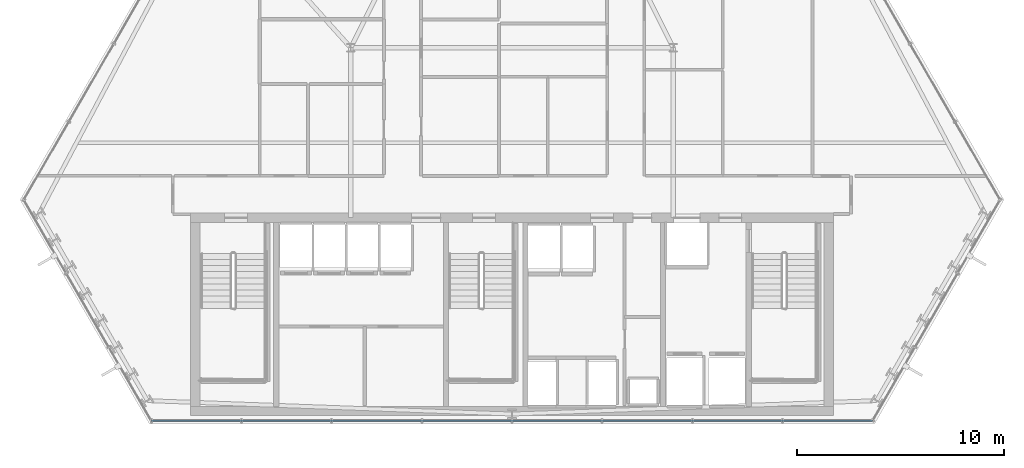
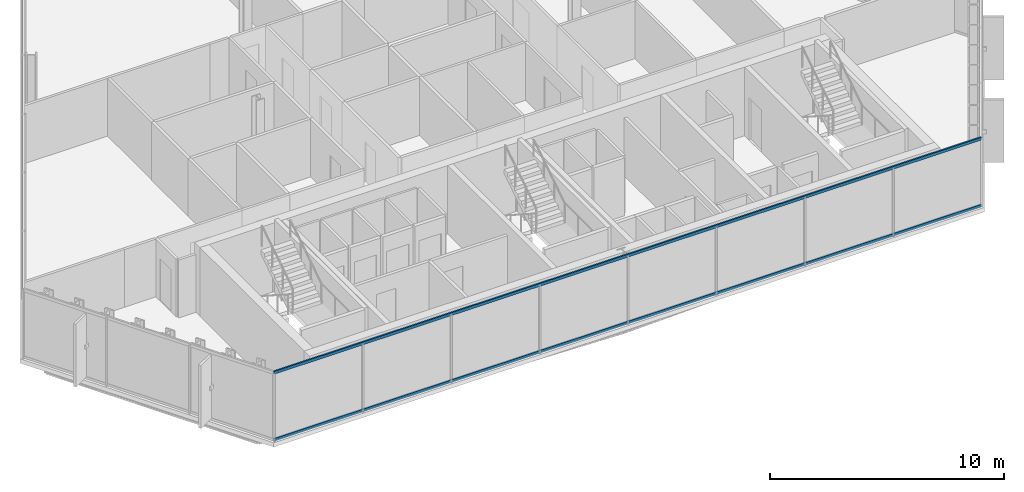
# One storey, part 8 of 32: 2 members, 1 element without a shape of its own.
"""IFC4 building model written with IfcOpenShell, lengths in metres."""

from ifc_helpers import new_model, si_unit, direction, frame, origin, origin_2d, place, context, subcontext, project, spatial, hollow_rectangle, extrude, material, layer, layer_set, material_profile, profile_set, type_object, element, aggregate, save


model = new_model("IFC4")

# Units and contexts
model_context = context("Model", 3, precision=1e-05, world=origin(), true_north=direction((0.0, 1.0)))
body_context = subcontext(model_context, "Body", "Model", "MODEL_VIEW")
ifc_project = project(units=[si_unit("LENGTHUNIT", "METRE"), si_unit("AREAUNIT", "SQUARE_METRE"), si_unit("VOLUMEUNIT", "CUBIC_METRE"), si_unit("PLANEANGLEUNIT", "RADIAN"), si_unit("MASSUNIT", "GRAM", prefix="KILO")], contexts=[model_context])

# Site, building, storey
site_placement = place(None, origin())
site = spatial("IfcSite", under=ifc_project, at=site_placement, CompositionType="ELEMENT")
building_placement = place(site_placement, origin())
building = spatial("IfcBuilding", under=site, at=building_placement, Name="Ndaravel Arena Tower", CompositionType="ELEMENT")
storey_placement = place(building_placement, frame((0.0, 0.0, 130.800048828125)))
storey = spatial("IfcBuildingStorey", under=building, at=storey_placement, Name="L30", CompositionType="ELEMENT", Elevation=130.800048828125)

# Curtain wall, members
ifc_material_1 = material(Name="Aluminium", Category="aluminium")
ifc_layer = layer(ifc_material_1, 0.179931640625)
ifc_layer_set = layer_set([ifc_layer], Name="Aluminium")
curtain_wall_type = type_object("IfcCurtainWallType", Name="CW-SYS-03", PredefinedType="NOTDEFINED", material=ifc_layer_set)
curtain_wall_placement = place(storey_placement, origin())
curtain_wall = element("IfcCurtainWall", 1, at=curtain_wall_placement, inside=storey, type_object=curtain_wall_type, Name="L30 Faceted Crystal Curtain Wall CW-L30-E01", PredefinedType="NOTDEFINED")
ifc_material_2 = material(Name="Aluminium", Category="aluminium")
ifc_material_profile = material_profile(ifc_material_2, hollow_rectangle(XDim=0.074951171875, YDim=0.14990234375, WallThickness=0.00390625, at=origin_2d()), Name="CW TRANSOM 75x150x4")
ifc_profile_set = profile_set([ifc_material_profile], Name="Aluminium")
member_type = type_object("IfcMemberType", Name="MEM-CW-TRN150", PredefinedType="USERDEFINED", material=ifc_profile_set)
member_1_placement = place(storey_placement, frame((24.555419921875, 5.159912109375, 0.0400390625), z_axis=(1.0, 0.0, 0.0), x_axis=(0.0, 1.0, 0.0)))
member_1 = element("IfcMember", 2, at=member_1_placement, type_object=member_type, Name="CW-L30-E01 Transom 01", ObjectType="TRANSOM", PredefinedType="USERDEFINED", context=body_context, shape_type="SweptSolid", body=[
    extrude(hollow_rectangle(XDim=0.074951171875, YDim=0.14990234375, WallThickness=0.00390625, at=origin_2d()), origin(), (0.0, 0.0, 1.0), 34.88916015625),
])
member_2_placement = place(storey_placement, frame((24.555419921875, 5.159912109375, 3.5400390625), z_axis=(1.0, 0.0, 0.0), x_axis=(0.0, 1.0, 0.0)))
member_2 = element("IfcMember", 3, at=member_2_placement, type_object=member_type, Name="CW-L30-E01 Transom 02", ObjectType="TRANSOM", PredefinedType="USERDEFINED", context=body_context, shape_type="SweptSolid", body=[
    extrude(hollow_rectangle(XDim=0.074951171875, YDim=0.14990234375, WallThickness=0.00390625, at=origin_2d()), origin(), (0.0, 0.0, 1.0), 34.88916015625),
])
aggregate(curtain_wall, [member_1, member_2])

save(model, "model.ifc")
